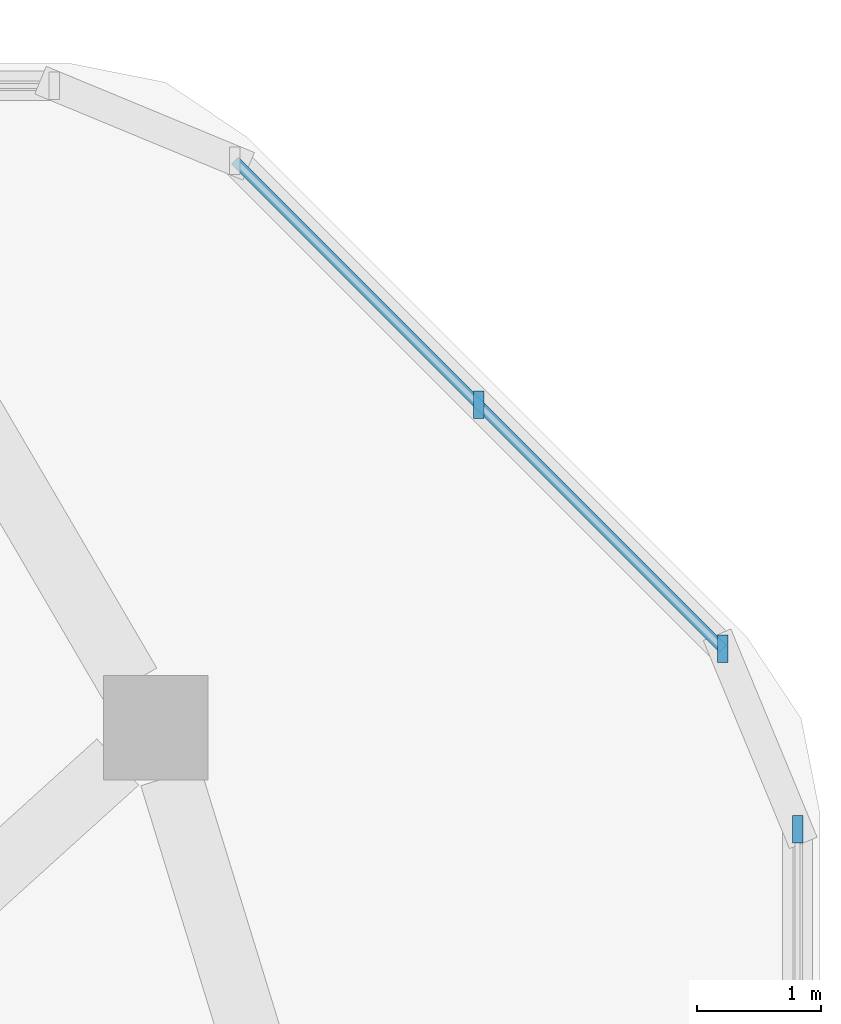
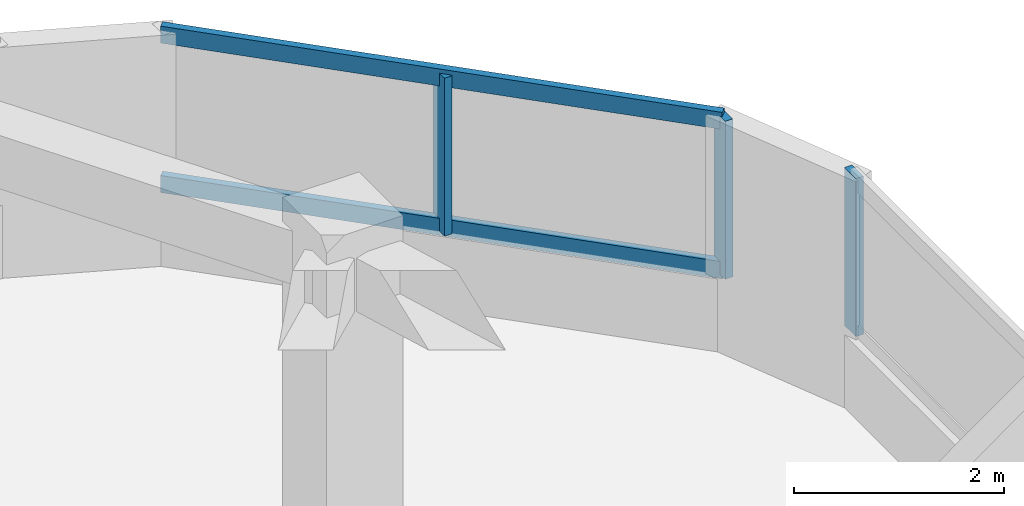
# One storey, part 6 of 12: 5 members, 2 elements without a shape of their own.
"""IFC4 building model written with IfcOpenShell, lengths in metres."""

from ifc_helpers import new_model, si_unit, derived_unit, direction, frame, origin, origin_2d, place, context, subcontext, project, spatial, rectangle, extrude, material, material_profile, profile_set, type_object, element, aggregate, save


model = new_model("IFC4")

# Units and contexts
model_context = context("Model", 3, precision=1e-05, world=origin(), true_north=direction((0.0, 1.0)))
body_context = subcontext(model_context, "Body", "Model", "MODEL_VIEW")
ifc_project = project(units=[si_unit("LENGTHUNIT", "METRE"), si_unit("AREAUNIT", "SQUARE_METRE"), si_unit("VOLUMEUNIT", "CUBIC_METRE"), si_unit("PLANEANGLEUNIT", "RADIAN"), si_unit("MASSUNIT", "GRAM", prefix="KILO"), derived_unit("THERMALTRANSMITTANCEUNIT", [(si_unit("POWERUNIT", "WATT"), 1), (si_unit("LENGTHUNIT", "METRE"), -2), (si_unit("THERMODYNAMICTEMPERATUREUNIT", "KELVIN"), -1)])], contexts=[model_context])

# Site, building, storey
site_placement = place(None, origin())
site = spatial("IfcSite", under=ifc_project, at=site_placement, CompositionType="ELEMENT")
building_placement = place(site_placement, origin())
building = spatial("IfcBuilding", under=site, at=building_placement, Name="Koralith Skygarden Medical Center", CompositionType="ELEMENT")
storey_placement = place(building_placement, frame((0.0, 0.0, 278.820068359375)))
storey = spatial("IfcBuildingStorey", under=building, at=storey_placement, Name="L72", CompositionType="ELEMENT", Elevation=278.820068359375)

# Curtain wall, member
ifc_material_1 = material(Name="Clear Laminated Glass", Category="glass")
curtain_wall_type = type_object("IfcCurtainWallType", Name="CW-6 Zone 5 Upper Clinical Curtain Wall", PredefinedType="NOTDEFINED", material=ifc_material_1)
curtain_wall_1_placement = place(storey_placement, origin())
curtain_wall_1 = element("IfcCurtainWall", 1, at=curtain_wall_1_placement, inside=storey, type_object=curtain_wall_type, Name="Curtain Wall CW-L72-E", PredefinedType="NOTDEFINED")
ifc_material_2 = material(Name="Aluminium 6063-T6", Category="aluminium")
ifc_material_profile_1 = material_profile(ifc_material_2, rectangle(XDim=0.0830078125, YDim=0.219970703125, at=origin_2d()), Name="MUL83X220")
ifc_profile_set_1 = profile_set([ifc_material_profile_1], Name="Aluminium 6063-T6")
member_type_1 = type_object("IfcMemberType", Name="CW-6 Extruded Mullion 83x220", PredefinedType="MULLION", material=ifc_profile_set_1)
member_1_placement = place(storey_placement, frame((61.719970703125, 41.2451171875, 0.849853515625), z_axis=(0.0, 0.0, 1.0), x_axis=(1.0, 0.0, 0.0)))
member_1 = element("IfcMember", 2, at=member_1_placement, type_object=member_type_1, Name="CW-L72-E Mullion 4", PredefinedType="MULLION", context=body_context, shape_type="SweptSolid", body=[
    extrude(rectangle(XDim=0.0830078125, YDim=0.219970703125, at=origin_2d()), origin(), (0.0, 0.0, 1.0), 1.840087890625),
])
aggregate(curtain_wall_1, [member_1])

# Curtain wall, members
curtain_wall_2_placement = place(storey_placement, origin())
curtain_wall_2 = element("IfcCurtainWall", 3, at=curtain_wall_2_placement, inside=storey, type_object=curtain_wall_type, Name="Curtain Wall CW-L72-NE", PredefinedType="NOTDEFINED")
member_2_placement = place(storey_placement, frame((61.118896484375, 42.696044921875, 0.849853515625), z_axis=(0.0, 0.0, 1.0), x_axis=(1.0, 0.0, 0.0)))
member_2 = element("IfcMember", 4, at=member_2_placement, type_object=member_type_1, Name="CW-L72-NE Mullion 1", PredefinedType="MULLION", context=body_context, shape_type="SweptSolid", body=[
    extrude(rectangle(XDim=0.0830078125, YDim=0.219970703125, at=origin_2d()), origin(), (0.0, 0.0, 1.0), 1.840087890625),
])
member_3_placement = place(storey_placement, frame((59.156982421875, 44.656982421875, 0.849853515625), z_axis=(0.0, 0.0, 1.0), x_axis=(1.0, 0.0, 0.0)))
member_3 = element("IfcMember", 5, at=member_3_placement, type_object=member_type_1, Name="CW-L72-NE Mullion 2", PredefinedType="MULLION", context=body_context, shape_type="SweptSolid", body=[
    extrude(rectangle(XDim=0.0830078125, YDim=0.219970703125, at=origin_2d()), origin(), (0.0, 0.0, 1.0), 1.840087890625),
])
ifc_material_profile_2 = material_profile(ifc_material_2, rectangle(XDim=0.077880859375, YDim=0.197998046875, at=origin_2d()), Name="TRN78X198")
ifc_profile_set_2 = profile_set([ifc_material_profile_2], Name="Aluminium 6063-T6")
member_type_2 = type_object("IfcMemberType", Name="CW-6 Thermal Transom 78x198", PredefinedType="USERDEFINED", material=ifc_profile_set_2)
member_4_placement = place(storey_placement, frame((61.118896484375, 42.696044921875, 0.89990234375), z_axis=(-0.707106781187, 0.707106781187, 0.0), x_axis=(-0.707106781187, -0.707106781187, 0.0)))
member_4 = element("IfcMember", 6, at=member_4_placement, type_object=member_type_2, Name="CW-L72-NE Transom 1", ObjectType="TRANSOM", PredefinedType="USERDEFINED", context=body_context, shape_type="SweptSolid", body=[
    extrude(rectangle(XDim=0.077880859375, YDim=0.197998046875, at=origin_2d()), origin(), (0.0, 0.0, 1.0), 5.5478515625),
])
member_5_placement = place(storey_placement, frame((61.118896484375, 42.696044921875, 2.639892578125), z_axis=(-0.707106781187, 0.707106781187, 0.0), x_axis=(-0.707106781187, -0.707106781187, 0.0)))
member_5 = element("IfcMember", 7, at=member_5_placement, type_object=member_type_2, Name="CW-L72-NE Transom 2", ObjectType="TRANSOM", PredefinedType="USERDEFINED", context=body_context, shape_type="SweptSolid", body=[
    extrude(rectangle(XDim=0.077880859375, YDim=0.197998046875, at=origin_2d()), origin(), (0.0, 0.0, 1.0), 5.5478515625),
])
aggregate(curtain_wall_2, [member_2, member_3, member_4, member_5])

save(model, "model.ifc")
